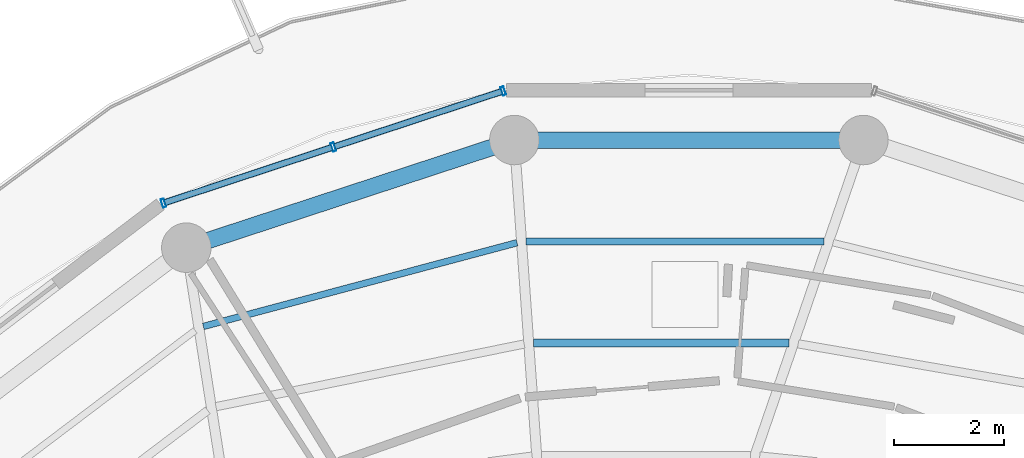
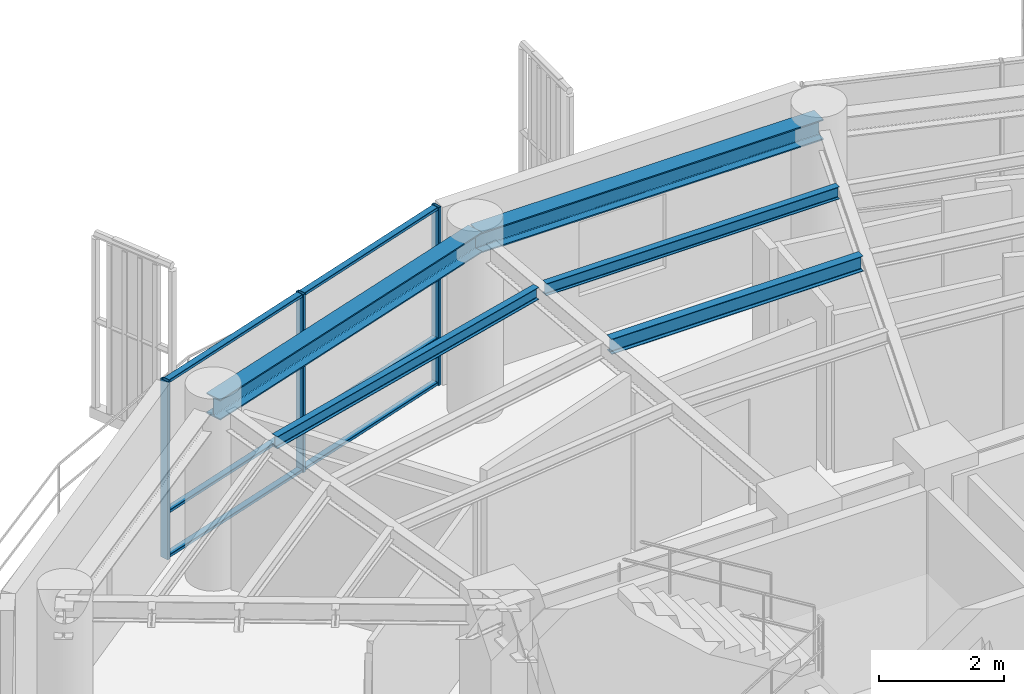
# One storey, part 12 of 22: 9 members, 5 beams, 1 element without a shape of its own.
"""IFC4 building model written with IfcOpenShell, lengths in metres."""

from ifc_helpers import new_model, si_unit, direction, frame, origin, origin_2d, place, context, subcontext, project, spatial, hollow_rectangle, i_section, extrude, material, layer, layer_set, material_profile, profile_set, type_object, element, aggregate, save


model = new_model("IFC4")

# Units and contexts
model_context = context("Model", 3, precision=1e-05, world=origin(), true_north=direction((0.0, 1.0)))
body_context = subcontext(model_context, "Body", "Model", "MODEL_VIEW")
ifc_project = project(units=[si_unit("LENGTHUNIT", "METRE"), si_unit("AREAUNIT", "SQUARE_METRE"), si_unit("VOLUMEUNIT", "CUBIC_METRE"), si_unit("PLANEANGLEUNIT", "RADIAN"), si_unit("MASSUNIT", "GRAM", prefix="KILO")], contexts=[model_context])

# Site, building, storey
site_placement = place(None, origin())
site = spatial("IfcSite", under=ifc_project, at=site_placement, CompositionType="ELEMENT")
building_placement = place(site_placement, origin())
building = spatial("IfcBuilding", under=site, at=building_placement, Name="Kelanora Arch Commons", CompositionType="ELEMENT")
storey_placement = place(building_placement, frame((0.0, 0.0, 259.949951171875)))
storey = spatial("IfcBuildingStorey", under=building, at=storey_placement, Name="L66", CompositionType="ELEMENT", Elevation=259.949951171875)

# Beams
ifc_material_1 = material(Name="Steel S355", Category="steel")
ifc_material_profile_1 = material_profile(ifc_material_1, i_section(OverallWidth=0.14990234375, OverallDepth=0.300048828125, WebThickness=0.007080078125, FlangeThickness=0.0107421875, FilletRadius=0.014892578125, at=origin_2d()), Name="IPE300")
ifc_profile_set_1 = profile_set([ifc_material_profile_1], Name="Steel S355")
beam_type_1 = type_object("IfcBeamType", Name="BM-JST-01", PredefinedType="JOIST", material=ifc_profile_set_1)
beam_1_placement = place(storey_placement, frame((75.819580078125, 70.537841796875, 3.340087890625), z_axis=(-1.0, 0.0, 0.0), x_axis=(0.0, -1.0, 0.0)))
element("IfcBeam", 1, at=beam_1_placement, inside=storey, type_object=beam_type_1, Name="Secondary Chord Joist BJB-08 L66", PredefinedType="JOIST", context=body_context, shape_type="SweptSolid", body=[
    extrude(i_section(OverallWidth=0.14990234375, OverallDepth=0.300048828125, WebThickness=0.007080078125, FlangeThickness=0.0107421875, FilletRadius=0.014892578125, at=origin_2d()), origin(), (0.0, 0.0, 1.0), 4.647216796875),
])
ifc_material_profile_2 = material_profile(ifc_material_1, i_section(OverallWidth=0.1201171875, OverallDepth=0.239990234375, WebThickness=0.006103515625, FlangeThickness=0.009765625, FilletRadius=0.014892578125, at=origin_2d()), Name="IPE240")
ifc_profile_set_2 = profile_set([ifc_material_profile_2], Name="Steel S355")
beam_type_2 = type_object("IfcBeamType", Name="BM-JST-02", PredefinedType="JOIST", material=ifc_profile_set_2)
beam_2_placement = place(storey_placement, frame((76.454345703125, 72.3837890625, 3.3701171875), z_axis=(-1.0, 0.0, 0.0), x_axis=(0.0, -1.0, 0.0)))
element("IfcBeam", 2, at=beam_2_placement, inside=storey, type_object=beam_type_2, Name="Secondary Chord Joist BJC-08 L66", PredefinedType="JOIST", context=body_context, shape_type="SweptSolid", body=[
    extrude(i_section(OverallWidth=0.1201171875, OverallDepth=0.239990234375, WebThickness=0.006103515625, FlangeThickness=0.009765625, FilletRadius=0.014892578125, at=origin_2d()), origin(), (0.0, 0.0, 1.0), 5.412841796875),
])
beam_3_placement = place(storey_placement, frame((70.87451171875, 72.36181640625, 3.3701171875), z_axis=(-0.966190312964, -0.257829942278, 0.0), x_axis=(0.257829942278, -0.966190312964, 0.0)))
element("IfcBeam", 3, at=beam_3_placement, inside=storey, type_object=beam_type_2, Name="Secondary Chord Joist BJC-10 L66", PredefinedType="JOIST", context=body_context, shape_type="SweptSolid", body=[
    extrude(i_section(OverallWidth=0.1201171875, OverallDepth=0.239990234375, WebThickness=0.006103515625, FlangeThickness=0.009765625, FilletRadius=0.014892578125, at=origin_2d()), origin(), (0.0, 0.0, 1.0), 5.904052734375),
])
ifc_material_profile_3 = material_profile(ifc_material_1, i_section(OverallWidth=0.300048828125, OverallDepth=0.39990234375, WebThickness=0.013427734375, FlangeThickness=0.02392578125, FilletRadius=0.027099609375, at=origin_2d()), Name="HEB400")
ifc_profile_set_3 = profile_set([ifc_material_profile_3], Name="Steel S355")
beam_type_3 = type_object("IfcBeamType", Name="BM-SPN-Z4", PredefinedType="SPANDREL", material=ifc_profile_set_3)
beam_4_placement = place(storey_placement, frame((77.17431640625, 74.2294921875, 3.2900390625), z_axis=(-1.0, 0.0, 0.0), x_axis=(0.0, -1.0, 0.0)))
element("IfcBeam", 4, at=beam_4_placement, inside=storey, type_object=beam_type_3, Name="Perimeter Spandrel Beam BS-08 L66", PredefinedType="SPANDREL", context=body_context, shape_type="SweptSolid", body=[
    extrude(i_section(OverallWidth=0.300048828125, OverallDepth=0.39990234375, WebThickness=0.013427734375, FlangeThickness=0.02392578125, FilletRadius=0.027099609375, at=origin_2d()), origin(), (0.0, 0.0, 1.0), 6.3486328125),
])
beam_5_placement = place(storey_placement, frame((70.82568359375, 74.2294921875, 3.2900390625), z_axis=(-0.950165923039, -0.311744636996, 0.0), x_axis=(0.311744636996, -0.950165923039, 0.0)))
element("IfcBeam", 5, at=beam_5_placement, inside=storey, type_object=beam_type_3, Name="Perimeter Spandrel Beam BS-10 L66", PredefinedType="SPANDREL", context=body_context, shape_type="SweptSolid", body=[
    extrude(i_section(OverallWidth=0.300048828125, OverallDepth=0.39990234375, WebThickness=0.013427734375, FlangeThickness=0.02392578125, FilletRadius=0.027099609375, at=origin_2d()), origin(), (0.0, 0.0, 1.0), 6.278564453125),
])

# Curtain wall, members
ifc_material_2 = material(Name="Terracotta ceramic-fritted low-E glass and aluminium", Category="masonry")
ifc_layer = layer(ifc_material_2, 0.18994140625)
ifc_layer_set = layer_set([ifc_layer], Name="Terracotta ceramic-fritted low-E glass and aluminium")
curtain_wall_type = type_object("IfcCurtainWallType", Name="CW-SYS-03", PredefinedType="NOTDEFINED", material=ifc_layer_set)
curtain_wall_placement = place(storey_placement, origin())
curtain_wall = element("IfcCurtainWall", 6, at=curtain_wall_placement, inside=storey, type_object=curtain_wall_type, Name="Unitised Curtain Wall L66-B05", PredefinedType="NOTDEFINED")
ifc_material_3 = material(Name="Powder-coated aluminium terracotta", Category="masonry")
ifc_material_profile_4 = material_profile(ifc_material_3, hollow_rectangle(XDim=0.159912109375, YDim=0.06005859375, WallThickness=0.0048828125, InnerFilletRadius=0.0048828125, OuterFilletRadius=0.010009765625, at=origin_2d()), Name="CWM160x60")
ifc_profile_set_4 = profile_set([ifc_material_profile_4], Name="Powder-coated aluminium terracotta")
member_type_1 = type_object("IfcMemberType", Name="CWM-STD", PredefinedType="MULLION", material=ifc_profile_set_4)
member_1_placement = place(storey_placement, frame((70.623291015625, 75.12158203125, 0.0), z_axis=(0.0, 0.0, 1.0), x_axis=(0.313252785344, -0.949669780752, 0.0)))
member_1 = element("IfcMember", 7, at=member_1_placement, type_object=member_type_1, Name="CW-03 mullion 1", PredefinedType="MULLION", context=body_context, shape_type="SweptSolid", body=[
    extrude(hollow_rectangle(XDim=0.159912109375, YDim=0.06005859375, WallThickness=0.0048828125, InnerFilletRadius=0.0048828125, OuterFilletRadius=0.010009765625, at=origin_2d()), origin(), (0.0, 0.0, 1.0), 3.47509765625),
])
member_2_placement = place(storey_placement, frame((67.532958984375, 74.102294921875, 0.0), z_axis=(0.0, 0.0, 1.0), x_axis=(0.313252785344, -0.949669780752, 0.0)))
member_2 = element("IfcMember", 8, at=member_2_placement, type_object=member_type_1, Name="CW-03 mullion 2", PredefinedType="MULLION", context=body_context, shape_type="SweptSolid", body=[
    extrude(hollow_rectangle(XDim=0.159912109375, YDim=0.06005859375, WallThickness=0.0048828125, InnerFilletRadius=0.0048828125, OuterFilletRadius=0.010009765625, at=origin_2d()), origin(), (0.0, 0.0, 1.0), 3.47509765625),
])
member_3_placement = place(storey_placement, frame((64.442626953125, 73.0830078125, 0.0), z_axis=(0.0, 0.0, 1.0), x_axis=(0.313252785344, -0.949669780752, 0.0)))
member_3 = element("IfcMember", 9, at=member_3_placement, type_object=member_type_1, Name="CW-03 mullion 3", PredefinedType="MULLION", context=body_context, shape_type="SweptSolid", body=[
    extrude(hollow_rectangle(XDim=0.159912109375, YDim=0.06005859375, WallThickness=0.0048828125, InnerFilletRadius=0.0048828125, OuterFilletRadius=0.010009765625, at=origin_2d()), origin(), (0.0, 0.0, 1.0), 3.47509765625),
])
ifc_material_profile_5 = material_profile(ifc_material_3, hollow_rectangle(XDim=0.1201171875, YDim=0.06005859375, WallThickness=0.0048828125, InnerFilletRadius=0.0048828125, OuterFilletRadius=0.010009765625, at=origin_2d()), Name="CWT120x60")
ifc_profile_set_5 = profile_set([ifc_material_profile_5], Name="Powder-coated aluminium terracotta")
member_type_2 = type_object("IfcMemberType", Name="CWT-STD", PredefinedType="USERDEFINED", material=ifc_profile_set_5)
member_4_placement = place(storey_placement, frame((70.5947265625, 75.1123046875, 0.030029296875), z_axis=(-0.949649574195, -0.313314037719, 0.0), x_axis=(0.313314037719, -0.949649574195, 0.0)))
member_4 = element("IfcMember", 10, at=member_4_placement, type_object=member_type_2, Name="CW-03 transom 1.1", ObjectType="TRANSOM", PredefinedType="USERDEFINED", context=body_context, shape_type="SweptSolid", body=[
    extrude(hollow_rectangle(XDim=0.1201171875, YDim=0.06005859375, WallThickness=0.0048828125, InnerFilletRadius=0.0048828125, OuterFilletRadius=0.010009765625, at=origin_2d()), origin(), (0.0, 0.0, 1.0), 3.194091796875),
])
member_5_placement = place(storey_placement, frame((70.5947265625, 75.1123046875, 0.900146484375), z_axis=(-0.949649574195, -0.313314037719, 0.0), x_axis=(0.313314037719, -0.949649574195, 0.0)))
member_5 = element("IfcMember", 11, at=member_5_placement, type_object=member_type_2, Name="CW-03 transom 1.2", ObjectType="TRANSOM", PredefinedType="USERDEFINED", context=body_context, shape_type="SweptSolid", body=[
    extrude(hollow_rectangle(XDim=0.1201171875, YDim=0.06005859375, WallThickness=0.0048828125, InnerFilletRadius=0.0048828125, OuterFilletRadius=0.010009765625, at=origin_2d()), origin(), (0.0, 0.0, 1.0), 3.194091796875),
])
member_6_placement = place(storey_placement, frame((70.5947265625, 75.1123046875, 3.445068359375), z_axis=(-0.949649574195, -0.313314037719, 0.0), x_axis=(0.313314037719, -0.949649574195, 0.0)))
member_6 = element("IfcMember", 12, at=member_6_placement, type_object=member_type_2, Name="CW-03 transom 1.3", ObjectType="TRANSOM", PredefinedType="USERDEFINED", context=body_context, shape_type="SweptSolid", body=[
    extrude(hollow_rectangle(XDim=0.1201171875, YDim=0.06005859375, WallThickness=0.0048828125, InnerFilletRadius=0.0048828125, OuterFilletRadius=0.010009765625, at=origin_2d()), origin(), (0.0, 0.0, 1.0), 3.194091796875),
])
member_7_placement = place(storey_placement, frame((67.50439453125, 74.0927734375, 0.030029296875), z_axis=(-0.949672315102, -0.313245102003, 0.0), x_axis=(0.313245102003, -0.949672315102, 0.0)))
member_7 = element("IfcMember", 13, at=member_7_placement, type_object=member_type_2, Name="CW-03 transom 2.1", ObjectType="TRANSOM", PredefinedType="USERDEFINED", context=body_context, shape_type="SweptSolid", body=[
    extrude(hollow_rectangle(XDim=0.1201171875, YDim=0.06005859375, WallThickness=0.0048828125, InnerFilletRadius=0.0048828125, OuterFilletRadius=0.010009765625, at=origin_2d()), origin(), (0.0, 0.0, 1.0), 3.19384765625),
])
member_8_placement = place(storey_placement, frame((67.50439453125, 74.0927734375, 0.900146484375), z_axis=(-0.949672315102, -0.313245102003, 0.0), x_axis=(0.313245102003, -0.949672315102, 0.0)))
member_8 = element("IfcMember", 14, at=member_8_placement, type_object=member_type_2, Name="CW-03 transom 2.2", ObjectType="TRANSOM", PredefinedType="USERDEFINED", context=body_context, shape_type="SweptSolid", body=[
    extrude(hollow_rectangle(XDim=0.1201171875, YDim=0.06005859375, WallThickness=0.0048828125, InnerFilletRadius=0.0048828125, OuterFilletRadius=0.010009765625, at=origin_2d()), origin(), (0.0, 0.0, 1.0), 3.19384765625),
])
member_9_placement = place(storey_placement, frame((67.50439453125, 74.0927734375, 3.445068359375), z_axis=(-0.949672315102, -0.313245102003, 0.0), x_axis=(0.313245102003, -0.949672315102, 0.0)))
member_9 = element("IfcMember", 15, at=member_9_placement, type_object=member_type_2, Name="CW-03 transom 2.3", ObjectType="TRANSOM", PredefinedType="USERDEFINED", context=body_context, shape_type="SweptSolid", body=[
    extrude(hollow_rectangle(XDim=0.1201171875, YDim=0.06005859375, WallThickness=0.0048828125, InnerFilletRadius=0.0048828125, OuterFilletRadius=0.010009765625, at=origin_2d()), origin(), (0.0, 0.0, 1.0), 3.19384765625),
])
aggregate(curtain_wall, [member_1, member_2, member_3, member_4, member_5, member_6, member_7, member_8, member_9])

save(model, "model.ifc")
